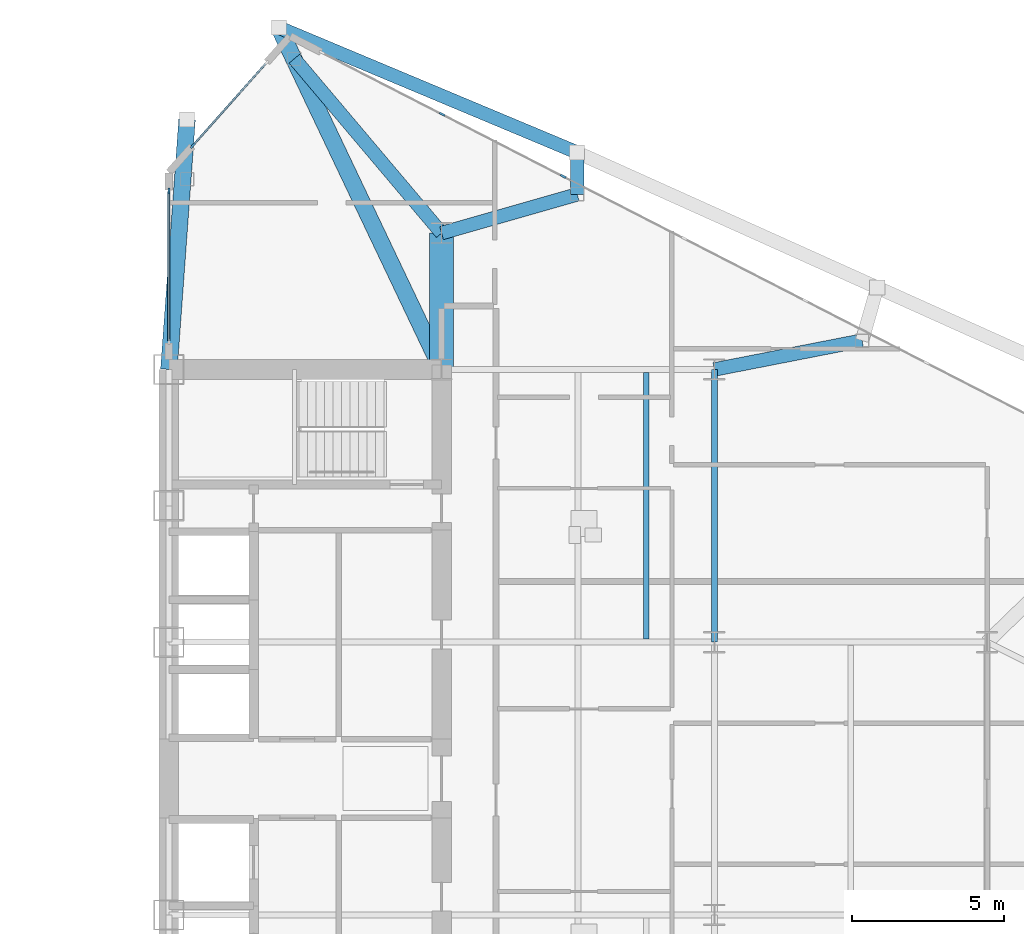
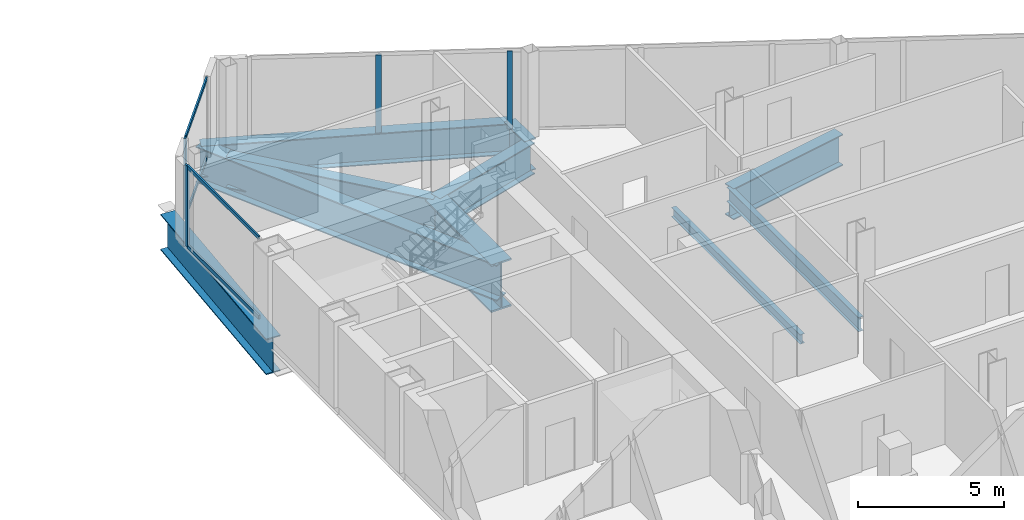
# One storey, part 13 of 28: 10 beams, 8 members, 3 elements without a shape of their own.
"""IFC4 building model written with IfcOpenShell, lengths in metres."""

import ifcopenshell
import ifcopenshell.guid

model = None  # the IFC model being written
_history = None  # IfcOwnerHistory: only IFC2X3 demands one
_inside = {}  # id of a spatial element -> (the spatial element, [elements in it])
_under = {}  # id of a project, library or spatial element -> (it, [spatial elements below it])
_declared = {}  # id of a project -> (the project, [libraries it declares])
_typed = {}  # id of a type object -> (the type object, [elements of that type])
_made_of = {}  # id of a material, layer set ... -> (it, [elements and type objects made of it])


def new_model(schema):
    """Start an empty IFC model of exactly this schema.

    Asked for "IFC4X3", IfcOpenShell would pick the latest addendum, in which some entities
    have other attributes; the version numbers below select the first issue.
    IFC2X3 requires an IfcOwnerHistory on every rooted entity: one is made here for all.
    """
    global model, _history
    if schema == "IFC4X3":
        model = ifcopenshell.file(schema_version=(4, 3, 0, 0))
    else:
        model = ifcopenshell.file(schema=schema)
    _inside.clear()
    _under.clear()
    _declared.clear()
    _typed.clear()
    _made_of.clear()
    _history = None
    if model.schema == "IFC2X3":
        org = make("IfcOrganization", Name="unknown")
        user = make(
            "IfcPersonAndOrganization",
            ThePerson=make("IfcPerson", FamilyName="unknown"),
            TheOrganization=org,
        )
        app = make(
            "IfcApplication",
            ApplicationDeveloper=org,
            Version="unknown",
            ApplicationFullName="unknown",
            ApplicationIdentifier="unknown",
        )
        _history = make(
            "IfcOwnerHistory",
            OwningUser=user,
            OwningApplication=app,
            ChangeAction="ADDED",
            CreationDate=0,
        )
    return model


def make(cls, **values):
    """One entity of the class cls with the attributes given. An attribute that is None is left unset."""
    return model.create_entity(
        cls, **{name: value for name, value in values.items() if value is not None}
    )


def rooted(cls, **values):
    """An entity with a GlobalId (a new one), such as an element, a storey or a relation."""
    return make(cls, GlobalId=ifcopenshell.guid.new(), OwnerHistory=_history, **values)


def si_unit(unit_type, name, prefix=None):
    """IfcSIUnit, for example si_unit("LENGTHUNIT", "METRE", prefix="MILLI")."""
    return make("IfcSIUnit", UnitType=unit_type, Prefix=prefix, Name=name)


def assignment(units):
    """IfcUnitAssignment: the units of a project."""
    return None if units is None else make("IfcUnitAssignment", Units=units)


def point(xyz):
    """IfcCartesianPoint."""
    return None if xyz is None else make("IfcCartesianPoint", Coordinates=xyz)


def direction(xyz):
    """IfcDirection."""
    return None if xyz is None else make("IfcDirection", DirectionRatios=xyz)


def frame(location, z_axis=None, x_axis=None):
    """IfcAxis2Placement3D, a coordinate frame: its origin and axes. An axis left out is left unset."""
    return make(
        "IfcAxis2Placement3D",
        Location=point(location),
        Axis=direction(z_axis),
        RefDirection=direction(x_axis),
    )


def frame_2d(location, x_axis=None):
    """IfcAxis2Placement2D, a coordinate frame in the plane: its origin and x axis."""
    return make(
        "IfcAxis2Placement2D", Location=point(location), RefDirection=direction(x_axis)
    )


def origin():
    """The frame at (0, 0, 0) with its axes left unset."""
    return frame((0.0, 0.0, 0.0))


def origin_2d():
    """The frame at (0, 0) in the plane with its x axis left unset."""
    return frame_2d((0.0, 0.0))


def place(relative_to, where):
    """IfcLocalPlacement: puts the frame where relative to a parent placement (None: the world)."""
    return make(
        "IfcLocalPlacement", PlacementRelTo=relative_to, RelativePlacement=where
    )


def context(
    kind, dimensions, precision=None, world=None, true_north=None, identifier=None
):
    """IfcGeometricRepresentationContext, for example the 3D "Model" context."""
    return make(
        "IfcGeometricRepresentationContext",
        ContextIdentifier=identifier,
        ContextType=kind,
        CoordinateSpaceDimension=dimensions,
        Precision=precision,
        WorldCoordinateSystem=world,
        TrueNorth=true_north,
    )


def subcontext(parent, identifier, kind, view, scale=None):
    """IfcGeometricRepresentationSubContext, for example "Body" below "Model"."""
    return make(
        "IfcGeometricRepresentationSubContext",
        ContextIdentifier=identifier,
        ContextType=kind,
        ParentContext=parent,
        TargetScale=scale,
        TargetView=view,
    )


def project(units=None, contexts=None):
    """IfcProject with its units and contexts."""
    return rooted(
        "IfcProject",
        Name="project",
        RepresentationContexts=contexts,
        UnitsInContext=assignment(units),
    )


def spatial(cls, under=None, at=None, **own):
    """A site, building, storey or space (cls), placed at a placement, below another one or the project."""
    s = rooted(cls, ObjectPlacement=at, **own)
    if under is not None:
        _under.setdefault(under.id(), (under, []))[1].append(s)
    return s


def profile(cls, at=None, kind="AREA", **sizes):
    """A parametric profile (cls). Its sizes go by their IFC names, for example OverallWidth=200.0."""
    return make(cls, ProfileType=kind, Position=at, **sizes)


def rectangle(**sizes):
    """IfcRectangleProfileDef."""
    return profile("IfcRectangleProfileDef", **sizes)


def i_section(**sizes):
    """IfcIShapeProfileDef."""
    return profile("IfcIShapeProfileDef", **sizes)


def extrude(swept, where, along, depth):
    """IfcExtrudedAreaSolid: the profile swept, set in the frame where, extruded along a direction by depth."""
    return make(
        "IfcExtrudedAreaSolid",
        SweptArea=swept,
        Position=where,
        ExtrudedDirection=direction(along),
        Depth=depth,
    )


def shape(context_of_items, identifier, shape_type, items):
    """IfcShapeRepresentation: the items that make up one representation, for example the "Body"."""
    return make(
        "IfcShapeRepresentation",
        ContextOfItems=context_of_items,
        RepresentationIdentifier=identifier,
        RepresentationType=shape_type,
        Items=items,
    )


def source(mapping_origin, context_of_items, identifier, shape_type, items):
    """IfcRepresentationMap: a shape defined once, which mapped items show again and again."""
    return make(
        "IfcRepresentationMap",
        MappingOrigin=mapping_origin,
        MappedRepresentation=shape(context_of_items, identifier, shape_type, items),
    )


def transform(
    local_origin,
    x_axis=None,
    y_axis=None,
    z_axis=None,
    scale=None,
    scale2=None,
    scale3=None,
    uniform=True,
):
    """IfcCartesianTransformationOperator3D, or its non-uniform kind. x_axis, y_axis, z_axis: its Axis1, 2, 3."""
    if uniform:
        return make(
            "IfcCartesianTransformationOperator3D",
            Axis1=direction(x_axis),
            Axis2=direction(y_axis),
            LocalOrigin=point(local_origin),
            Scale=scale,
            Axis3=direction(z_axis),
        )
    return make(
        "IfcCartesianTransformationOperator3DnonUniform",
        Axis1=direction(x_axis),
        Axis2=direction(y_axis),
        LocalOrigin=point(local_origin),
        Scale=scale,
        Axis3=direction(z_axis),
        Scale2=scale2,
        Scale3=scale3,
    )


def mapped(mapping_source, mapping_target):
    """IfcMappedItem: shows the shape of a source again, moved by a transform."""
    return make(
        "IfcMappedItem", MappingSource=mapping_source, MappingTarget=mapping_target
    )


def material(Name=None, Category=None):
    """IfcMaterial."""
    return make("IfcMaterial", Name=Name, Category=Category)


def layer(
    of_material, thickness, ventilated=None, Name=None, Category=None, Priority=None
):
    """IfcMaterialLayer: one layer of a wall or slab, of a material (None: an air gap)."""
    return make(
        "IfcMaterialLayer",
        Material=of_material,
        LayerThickness=thickness,
        IsVentilated=ventilated,
        Name=Name,
        Category=Category,
        Priority=Priority,
    )


def layer_set(layers, Name=None):
    """IfcMaterialLayerSet."""
    return make("IfcMaterialLayerSet", MaterialLayers=layers, LayerSetName=Name)


def material_profile(
    of_material, cross_section, Name=None, Category=None, Priority=None
):
    """IfcMaterialProfile: a cross section and its material."""
    return make(
        "IfcMaterialProfile",
        Name=Name,
        Material=of_material,
        Profile=cross_section,
        Priority=Priority,
        Category=Category,
    )


def profile_set(profiles, Name=None, composite=None):
    """IfcMaterialProfileSet."""
    return make(
        "IfcMaterialProfileSet",
        Name=Name,
        MaterialProfiles=profiles,
        CompositeProfile=composite,
    )


def made_of(thing, what):
    """Note that an element or type object is made of a material, layer set ...; save() writes the relation."""
    if what is not None:
        _made_of.setdefault(what.id(), (what, []))[1].append(thing)
    return thing


def type_object(cls, material=None, **own):
    """A type object (cls), such as IfcWallType, which elements share."""
    return made_of(rooted(cls, **own), material)


def type_shapes(of_type, sources):
    """Give a type object the sources (RepresentationMaps) that its elements show as mapped items."""
    of_type.RepresentationMaps = sources


def element(
    cls,
    number,
    at=None,
    inside=None,
    cuts=None,
    type_object=None,
    material=None,
    context=None,
    identifier="Body",
    shape_type=None,
    held_by="IfcProductDefinitionShape",
    body=None,
    shapes=None,
    **own,
):
    """One element of the class cls, such as IfcWall. Its Tag is "e" and its number.

    at: its placement. inside: the storey or other place that contains it. cuts: it is an
    opening in that element (IfcRelVoidsElement). A single representation is given by context,
    identifier, shape_type and body (its items); several are given by shapes. held_by: the class
    of the entity that holds the representations. save() writes the other relations.
    """
    e = rooted(cls, Tag="e%d" % number, ObjectPlacement=at, **own)
    if body is not None:
        shapes = [shape(context, identifier, shape_type, body)]
    if shapes is not None:
        e.Representation = make(held_by, Representations=shapes)
    if inside is not None:
        _inside.setdefault(inside.id(), (inside, []))[1].append(e)
    if cuts is not None:
        rooted(
            "IfcRelVoidsElement", RelatingBuildingElement=cuts, RelatedOpeningElement=e
        )
    if type_object is not None:
        _typed.setdefault(type_object.id(), (type_object, []))[1].append(e)
    return made_of(e, material)


def aggregate(whole, parts):
    """IfcRelAggregates: a whole, such as a stair, and the parts it consists of."""
    return rooted("IfcRelAggregates", RelatingObject=whole, RelatedObjects=parts)


def save(model, path):
    """Write the relations noted so far, then the file.

    IfcRelAggregates (storeys below a building ...), IfcRelContainedInSpatialStructure (elements
    in a storey), IfcRelDefinesByType, IfcRelAssociatesMaterial and IfcRelDeclares: one each for
    every whole, place, type object, material and project.
    """
    for whole, parts in _under.values():
        aggregate(whole, parts)
    for where, things in _inside.values():
        rooted(
            "IfcRelContainedInSpatialStructure",
            RelatedElements=things,
            RelatingStructure=where,
        )
    for kind, things in _typed.values():
        rooted("IfcRelDefinesByType", RelatedObjects=things, RelatingType=kind)
    for what, things in _made_of.values():
        rooted("IfcRelAssociatesMaterial", RelatedObjects=things, RelatingMaterial=what)
    for by, libraries in _declared.values():
        rooted("IfcRelDeclares", RelatingContext=by, RelatedDefinitions=libraries)
    model.write(path)


model = new_model("IFC4")

# Units and contexts
model_context = context("Model", 3, precision=1e-05, world=origin(), true_north=direction((0.0, 1.0)))
body_context = subcontext(model_context, "Body", "Model", "MODEL_VIEW")
ifc_project = project(units=[si_unit("LENGTHUNIT", "METRE"), si_unit("AREAUNIT", "SQUARE_METRE"), si_unit("VOLUMEUNIT", "CUBIC_METRE"), si_unit("PLANEANGLEUNIT", "RADIAN"), si_unit("MASSUNIT", "GRAM", prefix="KILO")], contexts=[model_context])

# Site, building, storey
site_placement = place(None, origin())
site = spatial("IfcSite", under=ifc_project, at=site_placement, CompositionType="ELEMENT")
building_placement = place(site_placement, origin())
building = spatial("IfcBuilding", under=site, at=building_placement, Name="Seokmaru Belvedere", CompositionType="ELEMENT")
storey_placement = place(building_placement, frame((0.0, 0.0, 110.39990234375)))
storey = spatial("IfcBuildingStorey", under=building, at=storey_placement, Name="L29", CompositionType="ELEMENT", Elevation=110.39990234375)

# Beams
ifc_material_1 = material(Name="Steel HSA650 (650 MPa)", Category="steel")
ifc_material_profile_1 = material_profile(ifc_material_1, i_section(OverallWidth=0.800048828125, OverallDepth=2.0, WebThickness=0.0400390625, FlangeThickness=0.070068359375, at=origin_2d()), Name="BH-2000x800x40x70")
ifc_profile_set_1 = profile_set([ifc_material_profile_1], Name="Steel HSA650 (650 MPa)")
beam_type_1 = type_object("IfcBeamType", Name="Sky-Gate Transfer Truss Chord Girder BH-2000", PredefinedType="BEAM", material=ifc_profile_set_1)
shared_shape_1 = source(origin(), body_context, "Body", "SweptSolid", [
    extrude(i_section(OverallWidth=0.800048828125, OverallDepth=2.0, WebThickness=0.0400390625, FlangeThickness=0.070068359375, at=origin_2d()), origin(), (0.0, 0.0, 1.0), 4.5),
])
type_shapes(beam_type_1, [shared_shape_1])
beam_1_placement = place(storey_placement, frame((36.5, 13.5, -1.219970703125), z_axis=(0.0, 1.0, 0.0), x_axis=(-1.0, 0.0, 0.0)))
element("IfcBeam", 1, at=beam_1_placement, inside=storey, type_object=beam_type_1, Name="L29 E Core Shoulder Girder N", PredefinedType="BEAM", context=body_context, shape_type="MappedRepresentation", body=[
    mapped(shared_shape_1, transform((0.0, 0.0, 0.0), scale=1.0)),
])
ifc_material_2 = material(Name="Steel SM355 (355 MPa)", Category="steel")
ifc_material_profile_2 = material_profile(ifc_material_2, i_section(OverallWidth=0.199951171875, OverallDepth=0.60009765625, WebThickness=0.010986328125, FlangeThickness=0.01708984375, at=origin_2d()), Name="H-600x200x11x17")
ifc_profile_set_2 = profile_set([ifc_material_profile_2], Name="Steel SM355 (355 MPa)")
beam_type_2 = type_object("IfcBeamType", Name="Primary Floor Girder H-600", PredefinedType="BEAM", material=ifc_profile_set_2)
shared_shape_2 = source(origin(), body_context, "Body", "SweptSolid", [
    extrude(i_section(OverallWidth=0.199951171875, OverallDepth=0.60009765625, WebThickness=0.010986328125, FlangeThickness=0.01708984375, at=origin_2d()), origin(), (0.0, 0.0, 1.0), 9.0),
])
type_shapes(beam_type_2, [shared_shape_2])
beam_2_placement = place(storey_placement, frame((45.5, 4.5, -0.52001953125), z_axis=(0.0, 1.0, 0.0), x_axis=(-1.0, 0.0, 0.0)))
element("IfcBeam", 2, at=beam_2_placement, inside=storey, type_object=beam_type_2, Name="L29 E Interior Grid Girder 3", PredefinedType="BEAM", context=body_context, shape_type="MappedRepresentation", body=[
    mapped(shared_shape_2, transform((0.0, 0.0, 0.0), scale=1.0)),
])
ifc_material_profile_3 = material_profile(ifc_material_2, i_section(OverallWidth=0.18505859375, OverallDepth=0.389892578125, WebThickness=0.008056640625, FlangeThickness=0.011962890625, at=origin_2d()), Name="H-390x185x8x12")
ifc_profile_set_3 = profile_set([ifc_material_profile_3], Name="Steel SM355 (355 MPa)")
beam_type_3 = type_object("IfcBeamType", Name="Secondary Floor Joist H-350", PredefinedType="JOIST", material=ifc_profile_set_3)
shared_shape_3 = source(origin(), body_context, "Body", "SweptSolid", [
    extrude(i_section(OverallWidth=0.18505859375, OverallDepth=0.389892578125, WebThickness=0.008056640625, FlangeThickness=0.011962890625, at=origin_2d()), origin(), (0.0, 0.0, 1.0), 8.7900390625),
])
type_shapes(beam_type_3, [shared_shape_3])
beam_3_placement = place(storey_placement, frame((43.25, 4.60498046875, -0.414794921875), z_axis=(0.0, 1.0, 0.0), x_axis=(-1.0, 0.0, 0.0)))
element("IfcBeam", 3, at=beam_3_placement, inside=storey, type_object=beam_type_3, Name="L29 E Wing Inner Secondary Joist 2", PredefinedType="JOIST", context=body_context, shape_type="MappedRepresentation", body=[
    mapped(shared_shape_3, transform((0.0, 0.0, 0.0), scale=1.0)),
])
ifc_material_profile_4 = material_profile(ifc_material_1, i_section(OverallWidth=0.449951171875, OverallDepth=1.300048828125, WebThickness=0.02197265625, FlangeThickness=0.0380859375, at=origin_2d()), Name="BH-1300x450x22x38")
ifc_profile_set_4 = profile_set([ifc_material_profile_4], Name="Steel HSA650 (650 MPa)")
beam_type_4 = type_object("IfcBeamType", Name="Observatory Long-Span Roof Girder BH-1300", PredefinedType="BEAM", material=ifc_profile_set_4)
shared_shape_4 = source(origin(), body_context, "Body", "SweptSolid", [
    extrude(i_section(OverallWidth=0.449951171875, OverallDepth=1.300048828125, WebThickness=0.02197265625, FlangeThickness=0.0380859375, at=origin_2d()), origin(), (0.0, 0.0, 1.0), 10.66943359375),
])
beam_4_placement = place(storey_placement, frame((31.13134765625, 24.782958984375, -0.869873046875), z_axis=(0.922375393128, -0.386294750355, 0.0), x_axis=(0.386294750355, 0.922375393128, 0.0)))
element("IfcBeam", 4, at=beam_4_placement, inside=storey, type_object=beam_type_4, Name="L29 E Faceted Flank Spandrel N-1", PredefinedType="BEAM", context=body_context, shape_type="MappedRepresentation", body=[
    mapped(shared_shape_4, transform((0.0, 0.0, 0.0), scale=1.0)),
])
ifc_material_profile_5 = material_profile(ifc_material_1, i_section(OverallWidth=0.550048828125, OverallDepth=1.5, WebThickness=0.028076171875, FlangeThickness=0.044921875, at=origin_2d()), Name="BH-1500x550x28x45")
ifc_profile_set_5 = profile_set([ifc_material_profile_5], Name="Steel HSA650 (650 MPa)")
beam_type_5 = type_object("IfcBeamType", Name="Setback Transfer Girder BH-1500", PredefinedType="BEAM", material=ifc_profile_set_5)
shared_shape_5 = source(origin(), body_context, "Body", "SweptSolid", [
    extrude(i_section(OverallWidth=0.550048828125, OverallDepth=1.5, WebThickness=0.028076171875, FlangeThickness=0.044921875, at=origin_2d()), origin(), (0.0, 0.0, 1.0), 8.273193359375),
])
beam_5_placement = place(storey_placement, frame((28.10009765625, 21.75146484375, -0.969970703125), z_axis=(-0.072534628348, -0.99736589459, 0.0), x_axis=(0.99736589459, -0.072534628348, 0.0)))
element("IfcBeam", 5, at=beam_5_placement, inside=storey, type_object=beam_type_5, Name="L29 E Setback Transfer Girder 5", PredefinedType="BEAM", context=body_context, shape_type="MappedRepresentation", body=[
    mapped(shared_shape_5, transform((0.0, 0.0, 0.0), scale=1.0)),
])
shared_shape_6 = source(origin(), body_context, "Body", "SweptSolid", [
    extrude(i_section(OverallWidth=0.550048828125, OverallDepth=1.5, WebThickness=0.028076171875, FlangeThickness=0.044921875, at=origin_2d()), origin(), (0.0, 0.0, 1.0), 12.4951171875),
])
type_shapes(beam_type_5, [shared_shape_5, shared_shape_6])
beam_6_placement = place(storey_placement, frame((31.13134765625, 24.782958984375, -0.969970703125), z_axis=(0.42966052169, -0.90299049613, 0.0), x_axis=(0.90299049613, 0.42966052169, 0.0)))
element("IfcBeam", 6, at=beam_6_placement, inside=storey, type_object=beam_type_5, Name="L29 E Setback Transfer Girder 4", PredefinedType="BEAM", context=body_context, shape_type="MappedRepresentation", body=[
    mapped(shared_shape_6, transform((0.0, 0.0, 0.0), scale=1.0)),
])
shared_shape_7 = source(origin(), body_context, "Body", "SweptSolid", [
    extrude(i_section(OverallWidth=0.449951171875, OverallDepth=1.300048828125, WebThickness=0.02197265625, FlangeThickness=0.0380859375, at=origin_2d()), origin(), (0.0, 0.0, 1.0), 7.531982421875),
])
beam_7_placement = place(storey_placement, frame((31.6396484375, 23.75390625, -0.869873046875), z_axis=(0.645296861472, -0.763931908337, 0.0), x_axis=(0.763931908337, 0.645296861472, 0.0)))
element("IfcBeam", 7, at=beam_7_placement, inside=storey, type_object=beam_type_4, Name="L29 E Shoulder Sanity Tie Girder 4", PredefinedType="BEAM", context=body_context, shape_type="MappedRepresentation", body=[
    mapped(shared_shape_7, transform((0.0, 0.0, 0.0), scale=1.0)),
])
shared_shape_8 = source(origin(), body_context, "Body", "SweptSolid", [
    extrude(i_section(OverallWidth=0.449951171875, OverallDepth=1.300048828125, WebThickness=0.02197265625, FlangeThickness=0.0380859375, at=origin_2d()), origin(), (0.0, 0.0, 1.0), 1.3837890625),
])
beam_8_placement = place(storey_placement, frame((40.97265625, 20.661376953125, -0.869873046875), z_axis=(0.002293571949, -0.99999736976, 0.0), x_axis=(0.99999736976, 0.002293571949, 0.0)))
element("IfcBeam", 8, at=beam_8_placement, inside=storey, type_object=beam_type_4, Name="L29 E Flank Setback Step Girder N-1", PredefinedType="BEAM", context=body_context, shape_type="MappedRepresentation", body=[
    mapped(shared_shape_8, transform((0.0, 0.0, 0.0), scale=1.0)),
])
shared_shape_9 = source(origin(), body_context, "Body", "SweptSolid", [
    extrude(i_section(OverallWidth=0.449951171875, OverallDepth=1.300048828125, WebThickness=0.02197265625, FlangeThickness=0.0380859375, at=origin_2d()), origin(), (0.0, 0.0, 1.0), 4.654541015625),
])
beam_9_placement = place(storey_placement, frame((40.975830078125, 19.277587890625, -0.869873046875), z_axis=(-0.961593192625, -0.274478654721, 0.0), x_axis=(0.274478654721, -0.961593192625, 0.0)))
element("IfcBeam", 9, at=beam_9_placement, inside=storey, type_object=beam_type_4, Name="L29 E Flank Setback Back-Span Girder N-1", PredefinedType="BEAM", context=body_context, shape_type="MappedRepresentation", body=[
    mapped(shared_shape_9, transform((0.0, 0.0, 0.0), scale=1.0)),
])
shared_shape_10 = source(origin(), body_context, "Body", "SweptSolid", [
    extrude(i_section(OverallWidth=0.449951171875, OverallDepth=1.300048828125, WebThickness=0.02197265625, FlangeThickness=0.0380859375, at=origin_2d()), origin(), (0.0, 0.0, 1.0), 4.969482421875),
])
type_shapes(beam_type_4, [shared_shape_4, shared_shape_7, shared_shape_8, shared_shape_9, shared_shape_10])
beam_10_placement = place(storey_placement, frame((50.377197265625, 14.453369140625, -0.869873046875), z_axis=(-0.98142544456, -0.19184393858, 0.0), x_axis=(0.19184393858, -0.98142544456, 0.0)))
element("IfcBeam", 10, at=beam_10_placement, inside=storey, type_object=beam_type_4, Name="L29 E Flank Setback Back-Span Girder N-2", PredefinedType="BEAM", context=body_context, shape_type="MappedRepresentation", body=[
    mapped(shared_shape_10, transform((0.0, 0.0, 0.0), scale=1.0)),
])

# Curtain wall, member
ifc_material_3 = material(Name="Bronze Triple Insulating Glass", Category="glass")
ifc_layer = layer(ifc_material_3, 0.195068359375)
ifc_layer_set = layer_set([ifc_layer], Name="Bronze Triple Insulating Glass")
curtain_wall_type = type_object("IfcCurtainWallType", Name="Sky-Lobby and Mid-Rise Curtain Wall System CW-4", PredefinedType="NOTDEFINED", material=ifc_layer_set)
curtain_wall_1_placement = place(storey_placement, origin())
curtain_wall_1 = element("IfcCurtainWall", 11, at=curtain_wall_1_placement, inside=storey, type_object=curtain_wall_type, Name="L29 Curtain Wall EF4", PredefinedType="NOTDEFINED")
ifc_material_4 = material(Name="Anodised Bronze Aluminium", Category="aluminium")
ifc_material_profile_6 = material_profile(ifc_material_4, rectangle(XDim=0.070068359375, YDim=0.195068359375, at=origin_2d()), Name="CW-M-70x195")
ifc_profile_set_6 = profile_set([ifc_material_profile_6], Name="Anodised Bronze Aluminium")
member_type_1 = type_object("IfcMemberType", Name="Bronze Unitised Mullion 70x195", PredefinedType="MULLION", material=ifc_profile_set_6)
shared_shape_11 = source(origin(), body_context, "Body", "SweptSolid", [
    extrude(rectangle(XDim=0.070068359375, YDim=0.195068359375, at=origin_2d()), origin(), (0.0, 0.0, 1.0), 3.380126953125),
])
member_1_placement = place(storey_placement, frame((28.287353515625, 20.8857421875, 0.0), z_axis=(0.0, 0.0, 1.0), x_axis=(0.747409774804, -0.664363325694, 0.0)))
member_1 = element("IfcMember", 12, at=member_1_placement, type_object=member_type_1, Name="CW:L29:EF4 Mullion 2", PredefinedType="MULLION", context=body_context, shape_type="MappedRepresentation", body=[
    mapped(shared_shape_11, transform((0.0, 0.0, 0.0), scale=1.0)),
])

# Curtain wall, members
curtain_wall_2_placement = place(storey_placement, origin())
curtain_wall_2 = element("IfcCurtainWall", 13, at=curtain_wall_2_placement, inside=storey, type_object=curtain_wall_type, Name="L29 Curtain Wall ESP_2", PredefinedType="NOTDEFINED")
member_2_placement = place(storey_placement, frame((27.5, 19.39501953125, 0.0), z_axis=(0.0, 0.0, 1.0), x_axis=(1.0, 0.0, 0.0)))
member_2 = element("IfcMember", 14, at=member_2_placement, type_object=member_type_1, Name="CW:L29:ESP_2 Mullion 1", PredefinedType="MULLION", context=body_context, shape_type="MappedRepresentation", body=[
    mapped(shared_shape_11, transform((0.0, 0.0, 0.0), scale=1.0)),
])
ifc_material_profile_7 = material_profile(ifc_material_4, rectangle(XDim=0.06494140625, YDim=0.14990234375, at=origin_2d()), Name="CW-T-65x150")
ifc_profile_set_7 = profile_set([ifc_material_profile_7], Name="Anodised Bronze Aluminium")
member_type_2 = type_object("IfcMemberType", Name="Bronze Unitised Transom 65x150", PredefinedType="USERDEFINED", material=ifc_profile_set_7)
shared_shape_12 = source(origin(), body_context, "Body", "SweptSolid", [
    extrude(rectangle(XDim=0.06494140625, YDim=0.14990234375, at=origin_2d()), origin(), (0.0, 0.0, 1.0), 4.91015625),
])
member_3_placement = place(storey_placement, frame((27.5, 19.360107421875, 0.03271484375), z_axis=(0.0, -1.0, 0.0), x_axis=(1.0, 0.0, 0.0)))
member_3 = element("IfcMember", 15, at=member_3_placement, type_object=member_type_2, Name="CW:L29:ESP_2 Continuous Transom 1", ObjectType="TRANSOM", PredefinedType="USERDEFINED", context=body_context, shape_type="MappedRepresentation", body=[
    mapped(shared_shape_12, transform((0.0, 0.0, 0.0), scale=1.0)),
])
member_4_placement = place(storey_placement, frame((27.5, 19.360107421875, 3.34765625), z_axis=(0.0, -1.0, 0.0), x_axis=(1.0, 0.0, 0.0)))
member_4 = element("IfcMember", 16, at=member_4_placement, type_object=member_type_2, Name="CW:L29:ESP_2 Continuous Transom 2", ObjectType="TRANSOM", PredefinedType="USERDEFINED", context=body_context, shape_type="MappedRepresentation", body=[
    mapped(shared_shape_12, transform((0.0, 0.0, 0.0), scale=1.0)),
])
aggregate(curtain_wall_2, [member_2, member_3, member_4])

# Member
shared_shape_13 = source(origin(), body_context, "Body", "SweptSolid", [
    extrude(rectangle(XDim=0.06494140625, YDim=0.14990234375, at=origin_2d()), origin(), (0.0, 0.0, 1.0), 3.580810546875),
])
type_shapes(member_type_2, [shared_shape_12, shared_shape_13])
member_5_placement = place(storey_placement, frame((30.689453125, 23.588134765625, 0.03271484375), z_axis=(-0.66436383883, -0.747409318684, 0.0), x_axis=(0.747409318684, -0.66436383883, 0.0)))
member_5 = element("IfcMember", 17, at=member_5_placement, type_object=member_type_2, Name="CW:L29:EF4 Continuous Transom 1", ObjectType="TRANSOM", PredefinedType="USERDEFINED", context=body_context, shape_type="MappedRepresentation", body=[
    mapped(shared_shape_13, transform((0.0, 0.0, 0.0), scale=1.0)),
])

member_6_placement = place(storey_placement, frame((30.689453125, 23.588134765625, 3.34765625), z_axis=(-0.66436383883, -0.747409318684, 0.0), x_axis=(0.747409318684, -0.66436383883, 0.0)))
member_6 = element("IfcMember", 18, at=member_6_placement, type_object=member_type_2, Name="CW:L29:EF4 Continuous Transom 2", ObjectType="TRANSOM", PredefinedType="USERDEFINED", context=body_context, shape_type="MappedRepresentation", body=[
    mapped(shared_shape_13, transform((0.0, 0.0, 0.0), scale=1.0)),
])

aggregate(curtain_wall_1, [member_1, member_5, member_6])

# Curtain wall, members
curtain_wall_3_placement = place(storey_placement, origin())
curtain_wall_3 = element("IfcCurtainWall", 19, at=curtain_wall_3_placement, inside=storey, type_object=curtain_wall_type, Name="L29 Curtain Wall EF3", PredefinedType="NOTDEFINED")
shared_shape_14 = source(origin(), body_context, "Body", "SweptSolid", [
    extrude(rectangle(XDim=0.070068359375, YDim=0.195068359375, at=origin_2d()), origin(), (0.0, 0.0, 1.0), 3.25),
])
type_shapes(member_type_1, [shared_shape_11, shared_shape_14])
member_7_placement = place(storey_placement, frame((40.5126953125, 19.875, 0.065185546875), z_axis=(0.0, 0.0, 1.0), x_axis=(-0.456554528263, -0.889695432562, 0.0)))
member_7 = element("IfcMember", 20, at=member_7_placement, type_object=member_type_1, Name="CW:L29:EF3 Mullion 8", PredefinedType="MULLION", context=body_context, shape_type="MappedRepresentation", body=[
    mapped(shared_shape_14, transform((0.0, 0.0, 0.0), scale=1.0)),
])
member_8_placement = place(storey_placement, frame((36.51806640625, 21.925048828125, 0.065185546875), z_axis=(0.0, 0.0, 1.0), x_axis=(-0.456554528263, -0.889695432562, 0.0)))
member_8 = element("IfcMember", 21, at=member_8_placement, type_object=member_type_1, Name="CW:L29:EF3 Mullion 9", PredefinedType="MULLION", context=body_context, shape_type="MappedRepresentation", body=[
    mapped(shared_shape_14, transform((0.0, 0.0, 0.0), scale=1.0)),
])
aggregate(curtain_wall_3, [member_7, member_8])

save(model, "model.ifc")
